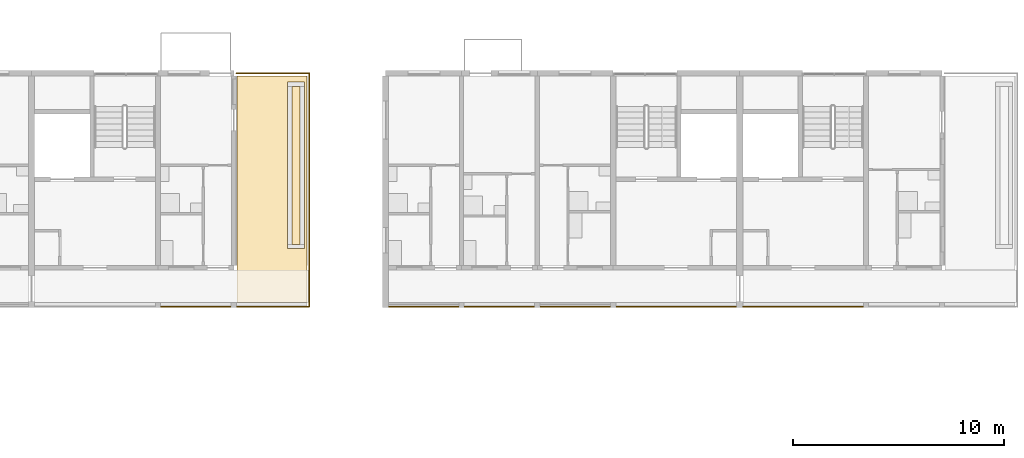
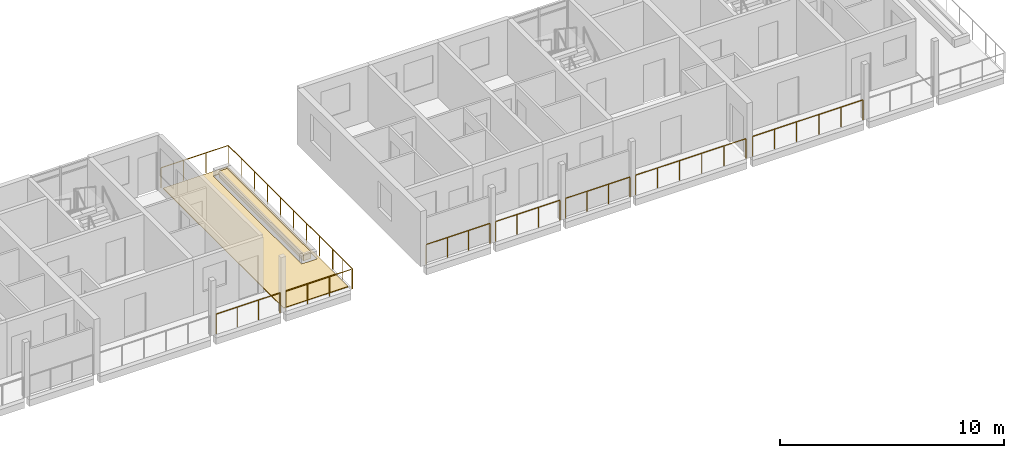
# One storey, part 90 of 94: 9 railings, 3 coverings.
"""IFC4 building model written with IfcOpenShell, lengths in metres."""

from ifc_helpers import new_model, si_unit, direction, frame, origin, origin_2d, place, context, subcontext, project, spatial, polyline, circle, outline, extrude, material, layer, layer_set, type_object, element, save


model = new_model("IFC4")

# Units and contexts
model_context = context("Model", 3, precision=1e-05, world=origin(), true_north=direction((0.0, 1.0)))
body_context = subcontext(model_context, "Body", "Model", "MODEL_VIEW")
ifc_project = project(units=[si_unit("LENGTHUNIT", "METRE"), si_unit("AREAUNIT", "SQUARE_METRE"), si_unit("VOLUMEUNIT", "CUBIC_METRE"), si_unit("PLANEANGLEUNIT", "RADIAN"), si_unit("MASSUNIT", "GRAM", prefix="KILO")], contexts=[model_context])

# Site, building, storey
site_placement = place(None, origin())
site = spatial("IfcSite", under=ifc_project, at=site_placement, CompositionType="ELEMENT")
building_placement = place(site_placement, origin())
building = spatial("IfcBuilding", under=site, at=building_placement, Name="Ridgestep Commons", CompositionType="ELEMENT")
storey_placement = place(building_placement, frame((0.0, 0.0, 24.0)))
storey = spatial("IfcBuildingStorey", under=building, at=storey_placement, Name="L08", CompositionType="ELEMENT", Elevation=24.0)

# Railings
ifc_material_1 = material(Name="Structural steel S355JR", Category="steel")
railing_type = type_object("IfcRailingType", Name="Guard 1100", PredefinedType="GUARDRAIL", material=ifc_material_1)
railing_1_placement = place(storey_placement, frame((210.37890625, 67.821044921875, 0.0)))
element("IfcRailing", 1, at=railing_1_placement, inside=storey, type_object=railing_type, Name="Guard TD-C4R2-GD", PredefinedType="GUARDRAIL", context=body_context, shape_type="SweptSolid", body=[
    extrude(circle(Radius=0.02392578125, at=origin_2d()), frame((0.0, 0.0, 1.076171875), z_axis=(0.0, 1.0, 0.0), x_axis=(-1.0, 0.0, 0.0)), (0.0, 0.0, 1.0), 9.303955078125),
    extrude(circle(Radius=0.02392578125, at=origin_2d()), frame((0.0, 9.303955078125, 1.076171875), z_axis=(-1.0, 0.0, 0.0), x_axis=(0.0, -1.0, 0.0)), (0.0, 0.0, 1.0), 3.4580078125),
    extrude(circle(Radius=0.02099609375, at=origin_2d()), origin(), (0.0, 0.0, 1.0), 1.052001953125),
    extrude(circle(Radius=0.02099609375, at=origin_2d()), frame((0.0, 1.1630859375, 0.0)), (0.0, 0.0, 1.0), 1.052001953125),
    extrude(circle(Radius=0.02099609375, at=origin_2d()), frame((0.0, 2.325927734375, 0.0)), (0.0, 0.0, 1.0), 1.052001953125),
    extrude(circle(Radius=0.02099609375, at=origin_2d()), frame((0.0, 3.489013671875, 0.0)), (0.0, 0.0, 1.0), 1.052001953125),
    extrude(circle(Radius=0.02099609375, at=origin_2d()), frame((0.0, 4.65185546875, 0.0)), (0.0, 0.0, 1.0), 1.052001953125),
    extrude(circle(Radius=0.02099609375, at=origin_2d()), frame((0.0, 5.81494140625, 0.0)), (0.0, 0.0, 1.0), 1.052001953125),
    extrude(circle(Radius=0.02099609375, at=origin_2d()), frame((0.0, 6.97802734375, 0.0)), (0.0, 0.0, 1.0), 1.052001953125),
    extrude(circle(Radius=0.02099609375, at=origin_2d()), frame((0.0, 8.140869140625, 0.0)), (0.0, 0.0, 1.0), 1.052001953125),
    extrude(circle(Radius=0.02099609375, at=origin_2d()), frame((0.0, 9.303955078125, 0.0)), (0.0, 0.0, 1.0), 1.052001953125),
    extrude(circle(Radius=0.02099609375, at=origin_2d()), frame((-1.152587890625, 9.303955078125, 0.0)), (0.0, 0.0, 1.0), 1.052001953125),
    extrude(circle(Radius=0.02099609375, at=origin_2d()), frame((-2.305419921875, 9.303955078125, 0.0)), (0.0, 0.0, 1.0), 1.052001953125),
    extrude(circle(Radius=0.02099609375, at=origin_2d()), frame((-3.4580078125, 9.303955078125, 0.0)), (0.0, 0.0, 1.0), 1.052001953125),
])
railing_2_placement = place(storey_placement, frame((203.345947265625, 66.050048828125, 0.0)))
element("IfcRailing", 2, at=railing_2_placement, inside=storey, type_object=railing_type, Name="Gallery guard C 08.9", PredefinedType="GUARDRAIL", context=body_context, shape_type="SweptSolid", body=[
    extrude(circle(Radius=0.02392578125, at=origin_2d()), frame((0.0, 0.0, 1.076171875), z_axis=(1.0, 0.0, 0.0), x_axis=(0.0, 1.0, 0.0)), (0.0, 0.0, 1.0), 3.30810546875),
    extrude(circle(Radius=0.02099609375, at=origin_2d()), origin(), (0.0, 0.0, 1.0), 1.052001953125),
    extrude(circle(Radius=0.02099609375, at=origin_2d()), frame((1.102783203125, 0.0, 0.0)), (0.0, 0.0, 1.0), 1.052001953125),
    extrude(circle(Radius=0.02099609375, at=origin_2d()), frame((2.205322265625, 0.0, 0.0)), (0.0, 0.0, 1.0), 1.052001953125),
    extrude(circle(Radius=0.02099609375, at=origin_2d()), frame((3.30810546875, 0.0, 0.0)), (0.0, 0.0, 1.0), 1.052001953125),
])
railing_3_placement = place(storey_placement, frame((206.946044921875, 66.050048828125, 0.0)))
element("IfcRailing", 3, at=railing_3_placement, inside=storey, type_object=railing_type, Name="Gallery guard C 08.10", PredefinedType="GUARDRAIL", context=body_context, shape_type="SweptSolid", body=[
    extrude(circle(Radius=0.02392578125, at=origin_2d()), frame((0.0, 0.0, 1.076171875), z_axis=(1.0, 0.0, 0.0), x_axis=(0.0, 1.0, 0.0)), (0.0, 0.0, 1.0), 3.369873046875),
    extrude(circle(Radius=0.02099609375, at=origin_2d()), origin(), (0.0, 0.0, 1.0), 1.052001953125),
    extrude(circle(Radius=0.02099609375, at=origin_2d()), frame((1.123291015625, 0.0, 0.0)), (0.0, 0.0, 1.0), 1.052001953125),
    extrude(circle(Radius=0.02099609375, at=origin_2d()), frame((2.24658203125, 0.0, 0.0)), (0.0, 0.0, 1.0), 1.052001953125),
    extrude(circle(Radius=0.02099609375, at=origin_2d()), frame((3.369873046875, 0.0, 0.0)), (0.0, 0.0, 1.0), 1.052001953125),
])
railing_4_placement = place(storey_placement, frame((210.37890625, 66.050048828125, 0.0)))
element("IfcRailing", 4, at=railing_4_placement, inside=storey, type_object=railing_type, Name="Gallery end guard C 08.10E", PredefinedType="GUARDRAIL", context=body_context, shape_type="SweptSolid", body=[
    extrude(circle(Radius=0.02392578125, at=origin_2d()), frame((0.0, 0.0, 1.076171875), z_axis=(0.0, 1.0, 0.0), x_axis=(-1.0, 0.0, 0.0)), (0.0, 0.0, 1.0), 1.72900390625),
    extrude(circle(Radius=0.02099609375, at=origin_2d()), origin(), (0.0, 0.0, 1.0), 1.052001953125),
    extrude(circle(Radius=0.02099609375, at=origin_2d()), frame((0.0, 0.864501953125, 0.0)), (0.0, 0.0, 1.0), 1.052001953125),
    extrude(circle(Radius=0.02099609375, at=origin_2d()), frame((0.0, 1.72900390625, 0.0)), (0.0, 0.0, 1.0), 1.052001953125),
])
railing_5_placement = place(storey_placement, frame((214.1708984375, 66.050048828125, 0.0)))
element("IfcRailing", 5, at=railing_5_placement, inside=storey, type_object=railing_type, Name="Gallery guard C 08.1", PredefinedType="GUARDRAIL", context=body_context, shape_type="SweptSolid", body=[
    extrude(circle(Radius=0.02392578125, at=origin_2d()), frame((0.0, 0.0, 1.076171875), z_axis=(1.0, 0.0, 0.0), x_axis=(0.0, 1.0, 0.0)), (0.0, 0.0, 1.0), 3.283203125),
    extrude(circle(Radius=0.02099609375, at=origin_2d()), origin(), (0.0, 0.0, 1.0), 1.052001953125),
    extrude(circle(Radius=0.02099609375, at=origin_2d()), frame((1.094482421875, 0.0, 0.0)), (0.0, 0.0, 1.0), 1.052001953125),
    extrude(circle(Radius=0.02099609375, at=origin_2d()), frame((2.188720703125, 0.0, 0.0)), (0.0, 0.0, 1.0), 1.052001953125),
    extrude(circle(Radius=0.02099609375, at=origin_2d()), frame((3.283203125, 0.0, 0.0)), (0.0, 0.0, 1.0), 1.052001953125),
])
railing_6_placement = place(storey_placement, frame((217.74609375, 66.050048828125, 0.0)))
element("IfcRailing", 6, at=railing_6_placement, inside=storey, type_object=railing_type, Name="Gallery guard C 08.2", PredefinedType="GUARDRAIL", context=body_context, shape_type="SweptSolid", body=[
    extrude(circle(Radius=0.02392578125, at=origin_2d()), frame((0.0, 0.0, 1.076171875), z_axis=(1.0, 0.0, 0.0), x_axis=(0.0, 1.0, 0.0)), (0.0, 0.0, 1.0), 3.307861328125),
    extrude(circle(Radius=0.02099609375, at=origin_2d()), origin(), (0.0, 0.0, 1.0), 1.052001953125),
    extrude(circle(Radius=0.02099609375, at=origin_2d()), frame((1.1025390625, 0.0, 0.0)), (0.0, 0.0, 1.0), 1.052001953125),
    extrude(circle(Radius=0.02099609375, at=origin_2d()), frame((2.205322265625, 0.0, 0.0)), (0.0, 0.0, 1.0), 1.052001953125),
    extrude(circle(Radius=0.02099609375, at=origin_2d()), frame((3.307861328125, 0.0, 0.0)), (0.0, 0.0, 1.0), 1.052001953125),
])
railing_7_placement = place(storey_placement, frame((221.345947265625, 66.050048828125, 0.0)))
element("IfcRailing", 7, at=railing_7_placement, inside=storey, type_object=railing_type, Name="Gallery guard C 08.3", PredefinedType="GUARDRAIL", context=body_context, shape_type="SweptSolid", body=[
    extrude(circle(Radius=0.02392578125, at=origin_2d()), frame((0.0, 0.0, 1.076171875), z_axis=(1.0, 0.0, 0.0), x_axis=(0.0, 1.0, 0.0)), (0.0, 0.0, 1.0), 3.30810546875),
    extrude(circle(Radius=0.02099609375, at=origin_2d()), origin(), (0.0, 0.0, 1.0), 1.052001953125),
    extrude(circle(Radius=0.02099609375, at=origin_2d()), frame((1.102783203125, 0.0, 0.0)), (0.0, 0.0, 1.0), 1.052001953125),
    extrude(circle(Radius=0.02099609375, at=origin_2d()), frame((2.205322265625, 0.0, 0.0)), (0.0, 0.0, 1.0), 1.052001953125),
    extrude(circle(Radius=0.02099609375, at=origin_2d()), frame((3.30810546875, 0.0, 0.0)), (0.0, 0.0, 1.0), 1.052001953125),
])
railing_8_placement = place(storey_placement, frame((224.946044921875, 66.050048828125, 0.0)))
element("IfcRailing", 8, at=railing_8_placement, inside=storey, type_object=railing_type, Name="Gallery guard C 08.4", PredefinedType="GUARDRAIL", context=body_context, shape_type="SweptSolid", body=[
    extrude(circle(Radius=0.02392578125, at=origin_2d()), frame((0.0, 0.0, 1.076171875), z_axis=(1.0, 0.0, 0.0), x_axis=(0.0, 1.0, 0.0)), (0.0, 0.0, 1.0), 5.682861328125),
    extrude(circle(Radius=0.02099609375, at=origin_2d()), origin(), (0.0, 0.0, 1.0), 1.052001953125),
    extrude(circle(Radius=0.02099609375, at=origin_2d()), frame((1.136474609375, 0.0, 0.0)), (0.0, 0.0, 1.0), 1.052001953125),
    extrude(circle(Radius=0.02099609375, at=origin_2d()), frame((2.273193359375, 0.0, 0.0)), (0.0, 0.0, 1.0), 1.052001953125),
    extrude(circle(Radius=0.02099609375, at=origin_2d()), frame((3.40966796875, 0.0, 0.0)), (0.0, 0.0, 1.0), 1.052001953125),
    extrude(circle(Radius=0.02099609375, at=origin_2d()), frame((4.54638671875, 0.0, 0.0)), (0.0, 0.0, 1.0), 1.052001953125),
    extrude(circle(Radius=0.02099609375, at=origin_2d()), frame((5.682861328125, 0.0, 0.0)), (0.0, 0.0, 1.0), 1.052001953125),
])
railing_9_placement = place(storey_placement, frame((230.970947265625, 66.050048828125, 0.0)))
element("IfcRailing", 9, at=railing_9_placement, inside=storey, type_object=railing_type, Name="Gallery guard C 08.5", PredefinedType="GUARDRAIL", context=body_context, shape_type="SweptSolid", body=[
    extrude(circle(Radius=0.02392578125, at=origin_2d()), frame((0.0, 0.0, 1.076171875), z_axis=(1.0, 0.0, 0.0), x_axis=(0.0, 1.0, 0.0)), (0.0, 0.0, 1.0), 5.68310546875),
    extrude(circle(Radius=0.02099609375, at=origin_2d()), origin(), (0.0, 0.0, 1.0), 1.052001953125),
    extrude(circle(Radius=0.02099609375, at=origin_2d()), frame((1.13671875, 0.0, 0.0)), (0.0, 0.0, 1.0), 1.052001953125),
    extrude(circle(Radius=0.02099609375, at=origin_2d()), frame((2.273193359375, 0.0, 0.0)), (0.0, 0.0, 1.0), 1.052001953125),
    extrude(circle(Radius=0.02099609375, at=origin_2d()), frame((3.409912109375, 0.0, 0.0)), (0.0, 0.0, 1.0), 1.052001953125),
    extrude(circle(Radius=0.02099609375, at=origin_2d()), frame((4.54638671875, 0.0, 0.0)), (0.0, 0.0, 1.0), 1.052001953125),
    extrude(circle(Radius=0.02099609375, at=origin_2d()), frame((5.68310546875, 0.0, 0.0)), (0.0, 0.0, 1.0), 1.052001953125),
])

# Coverings
ifc_material_2 = material(Name="Planting soil")
ifc_layer_1 = layer(ifc_material_2, 0.35009765625)
ifc_layer_set_1 = layer_set([ifc_layer_1], Name="Planting soil 350")
covering_type_1 = type_object("IfcCoveringType", Name="Planting soil 350", PredefinedType="FLOORING", material=ifc_layer_set_1)
covering_1_placement = place(storey_placement, frame((0.0, 0.0, 0.010009765625)))
element("IfcCovering", 10, at=covering_1_placement, inside=storey, type_object=covering_type_1, Name="Planting soil C4R2", PredefinedType="FLOORING", context=body_context, shape_type="SweptSolid", body=[
    extrude(outline(polyline([(209.550048828125, 69.0), (209.949951171875, 69.0), (209.949951171875, 76.5), (209.550048828125, 76.5), (209.550048828125, 69.0)])), origin(), (0.0, 0.0, 1.0), 0.35009765625),
])
ifc_material_3 = material(Name="Bitumen membrane, two layer")
ifc_layer_2 = layer(ifc_material_3, 0.010009765625)
ifc_layer_set_2 = layer_set([ifc_layer_2], Name="Terrace membrane 10")
covering_type_2 = type_object("IfcCoveringType", Name="Terrace membrane 10", PredefinedType="ROOFING", material=ifc_layer_set_2)
covering_2_placement = place(storey_placement, origin())
element("IfcCovering", 11, at=covering_2_placement, inside=storey, type_object=covering_type_2, Name="Terrace membrane C4R2", PredefinedType="ROOFING", context=body_context, shape_type="SweptSolid", body=[
    extrude(outline(polyline([(210.27490234375, 66.25), (210.27490234375, 77.0), (206.949951171875, 77.0), (206.949951171875, 66.25), (210.27490234375, 66.25)]), holes=[polyline([(210.14990234375, 68.800048828125), (210.14990234375, 76.699951171875), (209.35009765625, 76.699951171875), (209.35009765625, 68.800048828125), (210.14990234375, 68.800048828125)])]), origin(), (0.0, 0.0, 1.0), 0.010009765625),
])
ifc_material_4 = material(Name="Concrete paving slab", Category="concrete")
ifc_layer_3 = layer(ifc_material_4, 0.030029296875)
ifc_layer_set_3 = layer_set([ifc_layer_3], Name="Terrace paving 30")
covering_type_3 = type_object("IfcCoveringType", Name="Terrace paving 30", PredefinedType="FLOORING", material=ifc_layer_set_3)
covering_3_placement = place(storey_placement, frame((0.0, 0.0, 0.010009765625)))
element("IfcCovering", 12, at=covering_3_placement, inside=storey, type_object=covering_type_3, Name="Terrace paving C4R2", PredefinedType="FLOORING", context=body_context, shape_type="SweptSolid", body=[
    extrude(outline(polyline([(210.27490234375, 66.25), (210.27490234375, 77.0), (206.949951171875, 77.0), (206.949951171875, 66.25), (210.27490234375, 66.25)]), holes=[polyline([(210.14990234375, 68.800048828125), (210.14990234375, 76.699951171875), (209.35009765625, 76.699951171875), (209.35009765625, 68.800048828125), (210.14990234375, 68.800048828125)])]), origin(), (0.0, 0.0, 1.0), 0.030029296875),
])

save(model, "model.ifc")
